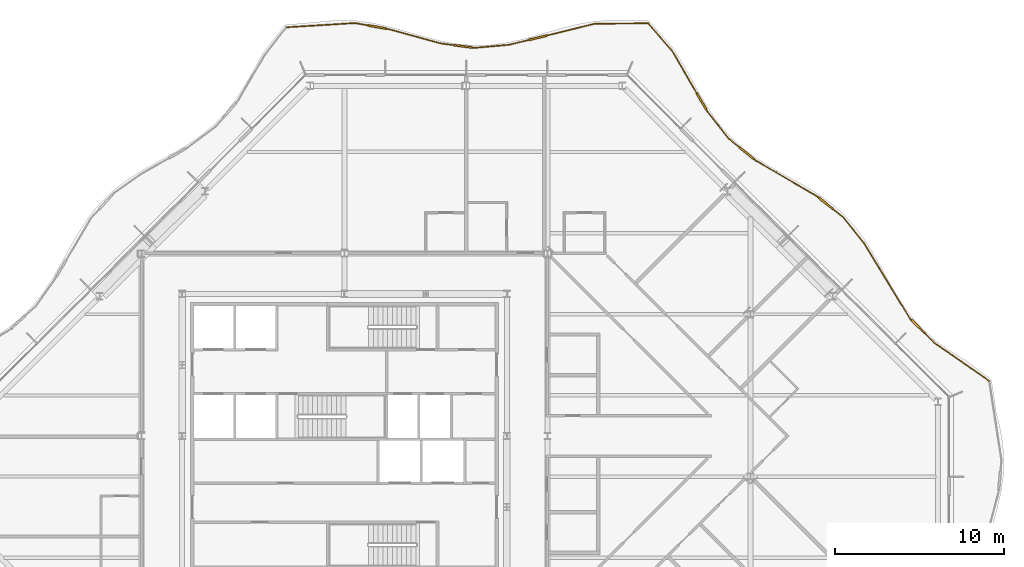
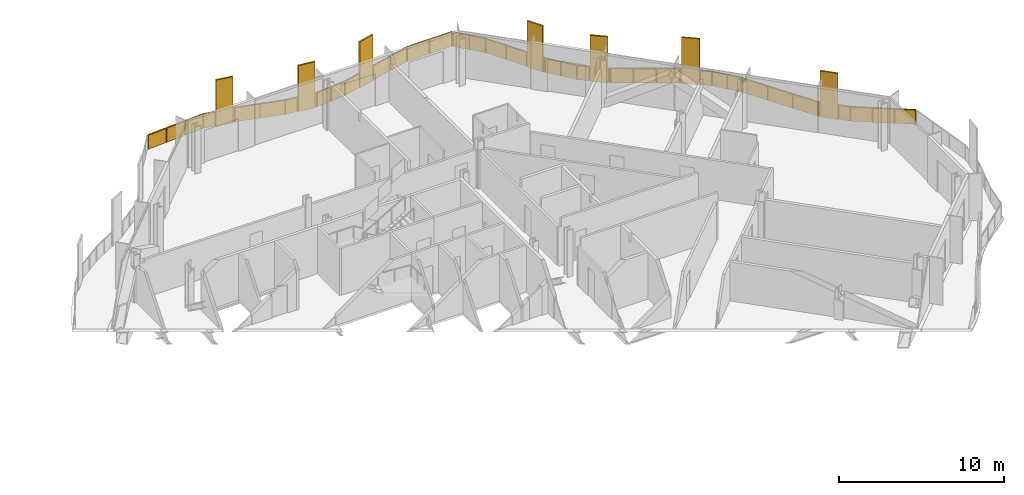
# One storey, part 17 of 17: 2 railings.
"""IFC4 building model written with IfcOpenShell, lengths in metres."""

from ifc_helpers import new_model, si_unit, direction, frame, origin, origin_2d, place, context, subcontext, project, spatial, polyline, rectangle, outline, extrude, material, type_object, element, save


model = new_model("IFC4")

# Units and contexts
model_context = context("Model", 3, precision=1e-05, world=origin(), true_north=direction((0.0, 1.0)))
body_context = subcontext(model_context, "Body", "Model", "MODEL_VIEW")
ifc_project = project(units=[si_unit("LENGTHUNIT", "METRE"), si_unit("AREAUNIT", "SQUARE_METRE"), si_unit("VOLUMEUNIT", "CUBIC_METRE"), si_unit("PLANEANGLEUNIT", "RADIAN"), si_unit("MASSUNIT", "GRAM", prefix="KILO")], contexts=[model_context])

# Site, building, storey
site_placement = place(None, origin())
site = spatial("IfcSite", under=ifc_project, at=site_placement, CompositionType="ELEMENT")
building_placement = place(site_placement, origin())
building = spatial("IfcBuilding", under=site, at=building_placement, Name="Cairn Pilgrim Tower", CompositionType="ELEMENT")
storey_placement = place(building_placement, frame((0.0, 0.0, 221.39990234375)))
storey = spatial("IfcBuildingStorey", under=building, at=storey_placement, Name="L56", CompositionType="ELEMENT", Elevation=221.39990234375)

# Railings
ifc_material = material(Name="Bronze anodised aluminium rail, posts and fin screens with laminated glass infill", Category="aluminium")
railing_type = type_object("IfcRailingType", Name="BALCONY GUARD WITH FIN SCREENS", PredefinedType="GUARDRAIL", material=ifc_material)
railing_1_placement = place(storey_placement, frame((45.325439453125, 5.6513671875, 0.0)))
element("IfcRailing", 1, at=railing_1_placement, inside=storey, type_object=railing_type, Name="Balcony guard BGF-3 with fin screens", PredefinedType="GUARDRAIL", context=body_context, shape_type="SweptSolid", body=[
    extrude(rectangle(XDim=0.050048828125, YDim=0.050048828125, at=origin_2d()), frame((0.0, 0.0, 1.0751953125), z_axis=(-0.820012054011, 0.572346251212, 0.0), x_axis=(-0.572346251212, -0.820012054011, 0.0)), (0.0, 0.0, 1.0), 3.9658203125),
    extrude(rectangle(XDim=1.10009765625, YDim=0.110107421875, at=origin_2d()), frame((-4.203857421875, 3.216552734375, 0.0), z_axis=(0.0, 0.0, 1.0), x_axis=(-0.709016579712, 0.705191810569, 0.0)), (0.0, 0.0, 1.0), 3.39990234375),
    extrude(rectangle(XDim=0.050048828125, YDim=0.050048828125, at=origin_2d()), frame((-3.251953125, 2.269775390625, 1.0751953125), z_axis=(-0.709016579712, 0.705191810569, 0.0), x_axis=(-0.705191810569, -0.709016579712, 0.0)), (0.0, 0.0, 1.0), 0.79248046875),
    extrude(rectangle(XDim=0.050048828125, YDim=0.050048828125, at=origin_2d()), frame((-4.59375, 3.604248046875, 1.0751953125), z_axis=(-0.709016579712, 0.705191810569, 0.0), x_axis=(-0.705191810569, -0.709016579712, 0.0)), (0.0, 0.0, 1.0), 0.150146484375),
    extrude(rectangle(XDim=0.050048828125, YDim=0.050048828125, at=origin_2d()), frame((-4.7001953125, 3.710205078125, 1.0751953125), z_axis=(-0.519273025874, 0.854608404241, 0.0), x_axis=(-0.854608404241, -0.519273025874, 0.0)), (0.0, 0.0, 1.0), 5.184326171875),
    extrude(rectangle(XDim=0.050048828125, YDim=0.050048828125, at=origin_2d()), frame((-7.392333984375, 8.140869140625, 1.0751953125), z_axis=(-0.626944244351, 0.779064127319, 0.0), x_axis=(-0.779064127319, -0.626944244351, 0.0)), (0.0, 0.0, 1.0), 1.99658203125),
    extrude(rectangle(XDim=1.10009765625, YDim=0.110107421875, at=origin_2d()), frame((-9.657470703125, 10.504638671875, 0.0), z_axis=(0.0, 0.0, 1.0), x_axis=(-0.781739062217, 0.62360567557, 0.0)), (0.0, 0.0, 1.0), 3.39990234375),
    extrude(rectangle(XDim=0.050048828125, YDim=0.050048828125, at=origin_2d()), frame((-8.64404296875, 9.6962890625, 1.0751953125), z_axis=(-0.781739062217, 0.62360567557, 0.0), x_axis=(-0.62360567557, -0.781739062217, 0.0)), (0.0, 0.0, 1.0), 0.746337890625),
    extrude(rectangle(XDim=0.050048828125, YDim=0.050048828125, at=origin_2d()), frame((-10.08740234375, 10.84765625, 1.0751953125), z_axis=(-0.781739062217, 0.62360567557, 0.0), x_axis=(-0.62360567557, -0.781739062217, 0.0)), (0.0, 0.0, 1.0), 0.14990234375),
    extrude(rectangle(XDim=0.050048828125, YDim=0.050048828125, at=origin_2d()), frame((-10.20458984375, 10.941162109375, 1.0751953125), z_axis=(-0.864562899529, 0.502524619056, 0.0), x_axis=(-0.502524619056, -0.864562899529, 0.0)), (0.0, 0.0, 1.0), 4.162109375),
    extrude(rectangle(XDim=1.10009765625, YDim=0.110107421875, at=origin_2d()), frame((-14.34619140625, 13.47412109375, 0.0), z_axis=(0.0, 0.0, 1.0), x_axis=(-0.776106715703, 0.630601590421, 0.0)), (0.0, 0.0, 1.0), 3.39990234375),
    extrude(rectangle(XDim=0.050048828125, YDim=0.050048828125, at=origin_2d()), frame((-13.802978515625, 13.03271484375, 1.0751953125), z_axis=(-0.776106715703, 0.630601590421, 0.0), x_axis=(-0.630601590421, -0.776106715703, 0.0)), (0.0, 0.0, 1.0), 0.14990234375),
    extrude(rectangle(XDim=0.050048828125, YDim=0.050048828125, at=origin_2d()), frame((-14.773193359375, 13.821044921875, 1.0751953125), z_axis=(-0.776106715703, 0.630601590421, 0.0), x_axis=(-0.630601590421, -0.776106715703, 0.0)), (0.0, 0.0, 1.0), 0.800537109375),
    extrude(rectangle(XDim=0.050048828125, YDim=0.050048828125, at=origin_2d()), frame((-15.394287109375, 14.32568359375, 1.0751953125), z_axis=(-0.619910394653, 0.784672608545, 0.0), x_axis=(-0.784672608545, -0.619910394653, 0.0)), (0.0, 0.0, 1.0), 2.05224609375),
    extrude(rectangle(XDim=1.10009765625, YDim=0.110107421875, at=origin_2d()), frame((-17.018310546875, 16.541015625, 0.0), z_axis=(0.0, 0.0, 1.0), x_axis=(-0.502651075486, 0.864489384731, 0.0)), (0.0, 0.0, 1.0), 3.39990234375),
    extrude(rectangle(XDim=0.050048828125, YDim=0.050048828125, at=origin_2d()), frame((-16.66650390625, 15.93603515625, 1.0751953125), z_axis=(-0.502651075486, 0.864489384731, 0.0), x_axis=(-0.864489384731, -0.502651075486, 0.0)), (0.0, 0.0, 1.0), 0.14990234375),
    extrude(rectangle(XDim=0.050048828125, YDim=0.050048828125, at=origin_2d()), frame((-17.294677734375, 17.0166015625, 1.0751953125), z_axis=(-0.502651075486, 0.864489384731, 0.0), x_axis=(-0.864489384731, -0.502651075486, 0.0)), (0.0, 0.0, 1.0), 2.90771484375),
    extrude(rectangle(XDim=0.050048828125, YDim=0.050048828125, at=origin_2d()), frame((-18.75634765625, 19.5302734375, 1.0751953125), z_axis=(-0.656874957585, 0.753999529242, 0.0), x_axis=(-0.753999529242, -0.656874957585, 0.0)), (0.0, 0.0, 1.0), 2.09130859375),
    extrude(rectangle(XDim=0.050048828125, YDim=0.050048828125, at=origin_2d()), origin(), (0.0, 0.0, 1.0), 1.050048828125),
    extrude(rectangle(XDim=0.050048828125, YDim=0.050048828125, at=origin_2d()), frame((-1.083984375, 0.756591796875, 0.0)), (0.0, 0.0, 1.0), 1.050048828125),
    extrude(rectangle(XDim=0.050048828125, YDim=0.050048828125, at=origin_2d()), frame((-2.16796875, 1.51318359375, 0.0)), (0.0, 0.0, 1.0), 1.050048828125),
    extrude(rectangle(XDim=0.050048828125, YDim=0.050048828125, at=origin_2d()), frame((-3.251953125, 2.269775390625, 0.0)), (0.0, 0.0, 1.0), 1.050048828125),
    extrude(rectangle(XDim=0.050048828125, YDim=0.050048828125, at=origin_2d()), frame((-3.796142578125, 2.81103515625, 0.0)), (0.0, 0.0, 1.0), 1.050048828125),
    extrude(rectangle(XDim=0.050048828125, YDim=0.050048828125, at=origin_2d()), frame((-4.611572265625, 3.6220703125, 0.0)), (0.0, 0.0, 1.0), 1.050048828125),
    extrude(rectangle(XDim=0.050048828125, YDim=0.050048828125, at=origin_2d()), frame((-4.7001953125, 3.710205078125, 0.0)), (0.0, 0.0, 1.0), 1.050048828125),
    extrude(rectangle(XDim=0.050048828125, YDim=0.050048828125, at=origin_2d()), frame((-5.59765625, 5.18701171875, 0.0)), (0.0, 0.0, 1.0), 1.050048828125),
    extrude(rectangle(XDim=0.050048828125, YDim=0.050048828125, at=origin_2d()), frame((-6.494873046875, 6.6640625, 0.0)), (0.0, 0.0, 1.0), 1.050048828125),
    extrude(rectangle(XDim=0.050048828125, YDim=0.050048828125, at=origin_2d()), frame((-7.392333984375, 8.140869140625, 0.0)), (0.0, 0.0, 1.0), 1.050048828125),
    extrude(rectangle(XDim=0.050048828125, YDim=0.050048828125, at=origin_2d()), frame((-8.01806640625, 8.91845703125, 0.0)), (0.0, 0.0, 1.0), 1.050048828125),
    extrude(rectangle(XDim=0.050048828125, YDim=0.050048828125, at=origin_2d()), frame((-8.64404296875, 9.6962890625, 0.0)), (0.0, 0.0, 1.0), 1.050048828125),
    extrude(rectangle(XDim=0.050048828125, YDim=0.050048828125, at=origin_2d()), frame((-9.2080078125, 10.14599609375, 0.0)), (0.0, 0.0, 1.0), 1.050048828125),
    extrude(rectangle(XDim=0.050048828125, YDim=0.050048828125, at=origin_2d()), frame((-10.10693359375, 10.86328125, 0.0)), (0.0, 0.0, 1.0), 1.050048828125),
    extrude(rectangle(XDim=0.050048828125, YDim=0.050048828125, at=origin_2d()), frame((-10.20458984375, 10.941162109375, 0.0)), (0.0, 0.0, 1.0), 1.050048828125),
    extrude(rectangle(XDim=0.050048828125, YDim=0.050048828125, at=origin_2d()), frame((-11.404052734375, 11.638427734375, 0.0)), (0.0, 0.0, 1.0), 1.050048828125),
    extrude(rectangle(XDim=0.050048828125, YDim=0.050048828125, at=origin_2d()), frame((-12.603515625, 12.33544921875, 0.0)), (0.0, 0.0, 1.0), 1.050048828125),
    extrude(rectangle(XDim=0.050048828125, YDim=0.050048828125, at=origin_2d()), frame((-13.802978515625, 13.03271484375, 0.0)), (0.0, 0.0, 1.0), 1.050048828125),
    extrude(rectangle(XDim=0.050048828125, YDim=0.050048828125, at=origin_2d()), frame((-13.89990234375, 13.111572265625, 0.0)), (0.0, 0.0, 1.0), 1.050048828125),
    extrude(rectangle(XDim=0.050048828125, YDim=0.050048828125, at=origin_2d()), frame((-14.79248046875, 13.836669921875, 0.0)), (0.0, 0.0, 1.0), 1.050048828125),
    extrude(rectangle(XDim=0.050048828125, YDim=0.050048828125, at=origin_2d()), frame((-15.394287109375, 14.32568359375, 0.0)), (0.0, 0.0, 1.0), 1.050048828125),
    extrude(rectangle(XDim=0.050048828125, YDim=0.050048828125, at=origin_2d()), frame((-16.0302734375, 15.130859375, 0.0)), (0.0, 0.0, 1.0), 1.050048828125),
    extrude(rectangle(XDim=0.050048828125, YDim=0.050048828125, at=origin_2d()), frame((-16.66650390625, 15.93603515625, 0.0)), (0.0, 0.0, 1.0), 1.050048828125),
    extrude(rectangle(XDim=0.050048828125, YDim=0.050048828125, at=origin_2d()), frame((-16.729248046875, 16.0439453125, 0.0)), (0.0, 0.0, 1.0), 1.050048828125),
    extrude(rectangle(XDim=0.050048828125, YDim=0.050048828125, at=origin_2d()), frame((-17.307373046875, 17.038330078125, 0.0)), (0.0, 0.0, 1.0), 1.050048828125),
    extrude(rectangle(XDim=0.050048828125, YDim=0.050048828125, at=origin_2d()), frame((-18.03173828125, 18.2841796875, 0.0)), (0.0, 0.0, 1.0), 1.050048828125),
    extrude(rectangle(XDim=0.050048828125, YDim=0.050048828125, at=origin_2d()), frame((-18.75634765625, 19.5302734375, 0.0)), (0.0, 0.0, 1.0), 1.050048828125),
    extrude(rectangle(XDim=0.050048828125, YDim=0.050048828125, at=origin_2d()), frame((-19.443359375, 20.31884765625, 0.0)), (0.0, 0.0, 1.0), 1.050048828125),
    extrude(rectangle(XDim=0.050048828125, YDim=0.050048828125, at=origin_2d()), frame((-20.130126953125, 21.107177734375, 0.0)), (0.0, 0.0, 1.0), 1.050048828125),
    extrude(outline(polyline([(0.02490234375, 0.0), (1.296875, 0.0), (1.296875, 1.050048828125), (0.02490234375, 1.050048828125), (0.02490234375, 0.0)])), frame((-0.00341796875, -0.0048828125, 0.0), z_axis=(0.572346251212, 0.820012054011, 0.0), x_axis=(-0.820012054011, 0.572346251212, 0.0)), (0.0, 0.0, 1.0), 0.011962890625),
    extrude(outline(polyline([(0.02490234375, 0.0), (1.296875, 0.0), (1.296875, 1.050048828125), (0.02490234375, 1.050048828125), (0.02490234375, 0.0)])), frame((-1.08740234375, 0.751708984375, 0.0), z_axis=(0.572346251212, 0.820012054011, 0.0), x_axis=(-0.820012054011, 0.572346251212, 0.0)), (0.0, 0.0, 1.0), 0.011962890625),
    extrude(outline(polyline([(0.02490234375, 0.0), (1.296875, 0.0), (1.296875, 1.050048828125), (0.02490234375, 1.050048828125), (0.02490234375, 0.0)])), frame((-2.17138671875, 1.50830078125, 0.0), z_axis=(0.572346251212, 0.820012054011, 0.0), x_axis=(-0.820012054011, 0.572346251212, 0.0)), (0.0, 0.0, 1.0), 0.011962890625),
    extrude(outline(polyline([(0.02490234375, 0.0), (0.742431640625, 0.0), (0.742431640625, 1.050048828125), (0.02490234375, 1.050048828125), (0.02490234375, 0.0)])), frame((-3.256103515625, 2.265625, 0.0), z_axis=(0.705191810569, 0.709016579712, 0.0), x_axis=(-0.709016579712, 0.705191810569, 0.0)), (0.0, 0.0, 1.0), 0.011962890625),
    extrude(outline(polyline([(0.02490234375, 0.0), (0.10009765625, 0.0), (0.10009765625, 1.050048828125), (0.02490234375, 1.050048828125), (0.02490234375, 0.0)])), frame((-4.61572265625, 3.61767578125, 0.0), z_axis=(0.705191810569, 0.709016579712, 0.0), x_axis=(-0.709016579712, 0.705191810569, 0.0)), (0.0, 0.0, 1.0), 0.011962890625),
    extrude(outline(polyline([(0.02490234375, 0.0), (1.703125, 0.0), (1.703125, 1.050048828125), (0.02490234375, 1.050048828125), (0.02490234375, 0.0)])), frame((-4.705322265625, 3.70703125, 0.0), z_axis=(0.854608404241, 0.519273025874, 0.0), x_axis=(-0.519273025874, 0.854608404241, 0.0)), (0.0, 0.0, 1.0), 0.011962890625),
    extrude(outline(polyline([(0.02490234375, 0.0), (1.703125, 0.0), (1.703125, 1.050048828125), (0.02490234375, 1.050048828125), (0.02490234375, 0.0)])), frame((-5.602783203125, 5.18408203125, 0.0), z_axis=(0.854608404241, 0.519273025874, 0.0), x_axis=(-0.519273025874, 0.854608404241, 0.0)), (0.0, 0.0, 1.0), 0.011962890625),
    extrude(outline(polyline([(0.02490234375, 0.0), (1.703125, 0.0), (1.703125, 1.050048828125), (0.02490234375, 1.050048828125), (0.02490234375, 0.0)])), frame((-6.5, 6.660888671875, 0.0), z_axis=(0.854608404241, 0.519273025874, 0.0), x_axis=(-0.519273025874, 0.854608404241, 0.0)), (0.0, 0.0, 1.0), 0.011962890625),
    extrude(outline(polyline([(0.02490234375, 0.0), (0.97314453125, 0.0), (0.97314453125, 1.050048828125), (0.02490234375, 1.050048828125), (0.02490234375, 0.0)])), frame((-7.39697265625, 8.13720703125, 0.0), z_axis=(0.779064127319, 0.626944244351, 0.0), x_axis=(-0.626944244351, 0.779064127319, 0.0)), (0.0, 0.0, 1.0), 0.011962890625),
    extrude(outline(polyline([(0.02490234375, 0.0), (0.97314453125, 0.0), (0.97314453125, 1.050048828125), (0.02490234375, 1.050048828125), (0.02490234375, 0.0)])), frame((-8.02294921875, 8.914794921875, 0.0), z_axis=(0.779064127319, 0.626944244351, 0.0), x_axis=(-0.626944244351, 0.779064127319, 0.0)), (0.0, 0.0, 1.0), 0.011962890625),
    extrude(outline(polyline([(0.02490234375, 0.0), (0.6962890625, 0.0), (0.6962890625, 1.050048828125), (0.02490234375, 1.050048828125), (0.02490234375, 0.0)])), frame((-8.647705078125, 9.691650390625, 0.0), z_axis=(0.62360567557, 0.781739062217, 0.0), x_axis=(-0.781739062217, 0.62360567557, 0.0)), (0.0, 0.0, 1.0), 0.011962890625),
    extrude(outline(polyline([(0.02490234375, 0.0), (0.099853515625, 0.0), (0.099853515625, 1.050048828125), (0.02490234375, 1.050048828125), (0.02490234375, 0.0)])), frame((-10.110595703125, 10.858642578125, 0.0), z_axis=(0.62360567557, 0.781739062217, 0.0), x_axis=(-0.781739062217, 0.62360567557, 0.0)), (0.0, 0.0, 1.0), 0.011962890625),
    extrude(outline(polyline([(0.02490234375, 0.0), (1.3623046875, 0.0), (1.3623046875, 1.050048828125), (0.02490234375, 1.050048828125), (0.02490234375, 0.0)])), frame((-10.20751953125, 10.93603515625, 0.0), z_axis=(0.502524619056, 0.864562899529, 0.0), x_axis=(-0.864562899529, 0.502524619056, 0.0)), (0.0, 0.0, 1.0), 0.011962890625),
    extrude(outline(polyline([(0.02490234375, 0.0), (1.3623046875, 0.0), (1.3623046875, 1.050048828125), (0.02490234375, 1.050048828125), (0.02490234375, 0.0)])), frame((-11.406982421875, 11.633056640625, 0.0), z_axis=(0.502524619056, 0.864562899529, 0.0), x_axis=(-0.864562899529, 0.502524619056, 0.0)), (0.0, 0.0, 1.0), 0.011962890625),
    extrude(outline(polyline([(0.02490234375, 0.0), (1.3623046875, 0.0), (1.3623046875, 1.050048828125), (0.02490234375, 1.050048828125), (0.02490234375, 0.0)])), frame((-12.6064453125, 12.330322265625, 0.0), z_axis=(0.502524619056, 0.864562899529, 0.0), x_axis=(-0.864562899529, 0.502524619056, 0.0)), (0.0, 0.0, 1.0), 0.011962890625),
    extrude(outline(polyline([(0.02490234375, 0.0), (0.099853515625, 0.0), (0.099853515625, 1.050048828125), (0.02490234375, 1.050048828125), (0.02490234375, 0.0)])), frame((-13.806640625, 13.028076171875, 0.0), z_axis=(0.630601590421, 0.776106715703, 0.0), x_axis=(-0.776106715703, 0.630601590421, 0.0)), (0.0, 0.0, 1.0), 0.011962890625),
    extrude(outline(polyline([(0.02490234375, 0.0), (0.75048828125, 0.0), (0.75048828125, 1.050048828125), (0.02490234375, 1.050048828125), (0.02490234375, 0.0)])), frame((-14.79638671875, 13.83203125, 0.0), z_axis=(0.630601590421, 0.776106715703, 0.0), x_axis=(-0.776106715703, 0.630601590421, 0.0)), (0.0, 0.0, 1.0), 0.011962890625),
    extrude(outline(polyline([(0.02490234375, 0.0), (1.001220703125, 0.0), (1.001220703125, 1.050048828125), (0.02490234375, 1.050048828125), (0.02490234375, 0.0)])), frame((-15.39892578125, 14.322021484375, 0.0), z_axis=(0.784672608545, 0.619910394653, 0.0), x_axis=(-0.619910394653, 0.784672608545, 0.0)), (0.0, 0.0, 1.0), 0.011962890625),
    extrude(outline(polyline([(0.02490234375, 0.0), (1.001220703125, 0.0), (1.001220703125, 1.050048828125), (0.02490234375, 1.050048828125), (0.02490234375, 0.0)])), frame((-16.03515625, 15.127197265625, 0.0), z_axis=(0.784672608545, 0.619910394653, 0.0), x_axis=(-0.619910394653, 0.784672608545, 0.0)), (0.0, 0.0, 1.0), 0.011962890625),
    extrude(outline(polyline([(0.02490234375, 0.0), (0.099853515625, 0.0), (0.099853515625, 1.050048828125), (0.02490234375, 1.050048828125), (0.02490234375, 0.0)])), frame((-16.671630859375, 15.93310546875, 0.0), z_axis=(0.864489384731, 0.502651075486, 0.0), x_axis=(-0.502651075486, 0.864489384731, 0.0)), (0.0, 0.0, 1.0), 0.011962890625),
    extrude(outline(polyline([(0.02490234375, 0.0), (1.416259765625, 0.0), (1.416259765625, 1.050048828125), (0.02490234375, 1.050048828125), (0.02490234375, 0.0)])), frame((-17.3125, 17.03515625, 0.0), z_axis=(0.864489384731, 0.502651075486, 0.0), x_axis=(-0.502651075486, 0.864489384731, 0.0)), (0.0, 0.0, 1.0), 0.011962890625),
    extrude(outline(polyline([(0.02490234375, 0.0), (1.416259765625, 0.0), (1.416259765625, 1.050048828125), (0.02490234375, 1.050048828125), (0.02490234375, 0.0)])), frame((-18.037109375, 18.28125, 0.0), z_axis=(0.864489384731, 0.502651075486, 0.0), x_axis=(-0.502651075486, 0.864489384731, 0.0)), (0.0, 0.0, 1.0), 0.011962890625),
    extrude(outline(polyline([(0.02490234375, 0.0), (1.020751953125, 0.0), (1.020751953125, 1.050048828125), (0.02490234375, 1.050048828125), (0.02490234375, 0.0)])), frame((-18.7607421875, 19.5263671875, 0.0), z_axis=(0.753999529242, 0.656874957585, 0.0), x_axis=(-0.656874957585, 0.753999529242, 0.0)), (0.0, 0.0, 1.0), 0.011962890625),
    extrude(outline(polyline([(0.02490234375, 0.0), (1.020751953125, 0.0), (1.020751953125, 1.050048828125), (0.02490234375, 1.050048828125), (0.02490234375, 0.0)])), frame((-19.44775390625, 20.314697265625, 0.0), z_axis=(0.753999529242, 0.656874957585, 0.0), x_axis=(-0.656874957585, 0.753999529242, 0.0)), (0.0, 0.0, 1.0), 0.011962890625),
])
railing_2_placement = place(storey_placement, frame((25.156005859375, 26.8037109375, 0.0)))
element("IfcRailing", 2, at=railing_2_placement, inside=storey, type_object=railing_type, Name="Balcony guard BGF-4 with fin screens", PredefinedType="GUARDRAIL", context=body_context, shape_type="SweptSolid", body=[
    extrude(rectangle(XDim=0.050048828125, YDim=0.050048828125, at=origin_2d()), frame((0.0, 0.0, 1.0751953125), z_axis=(-0.999966429342, -0.008193911681, 0.0), x_axis=(0.008193911681, -0.999966429342, 0.0)), (0.0, 0.0, 1.0), 3.158203125),
    extrude(rectangle(XDim=1.10009765625, YDim=0.110107421875, at=origin_2d()), frame((-6.4990234375, -0.848388671875, 0.0), z_axis=(0.0, 0.0, 1.0), x_axis=(-0.970995755042, -0.23909672455, 0.0)), (0.0, 0.0, 1.0), 3.39990234375),
    extrude(rectangle(XDim=0.050048828125, YDim=0.050048828125, at=origin_2d()), frame((-3.158203125, -0.02587890625, 1.0751953125), z_axis=(-0.970995755042, -0.23909672455, 0.0), x_axis=(0.23909672455, -0.970995755042, 0.0)), (0.0, 0.0, 1.0), 2.890380859375),
    extrude(rectangle(XDim=0.050048828125, YDim=0.050048828125, at=origin_2d()), frame((-7.032958984375, -0.97998046875, 1.0751953125), z_axis=(-0.970995755042, -0.23909672455, 0.0), x_axis=(0.23909672455, -0.970995755042, 0.0)), (0.0, 0.0, 1.0), 1.206787109375),
    extrude(rectangle(XDim=0.050048828125, YDim=0.050048828125, at=origin_2d()), frame((-8.204833984375, -1.2685546875, 1.0751953125), z_axis=(-0.996010063706, -0.089240982713, 0.0), x_axis=(0.089240982713, -0.996010063706, 0.0)), (0.0, 0.0, 1.0), 2.057373046875),
    extrude(rectangle(XDim=1.10009765625, YDim=0.110107421875, at=origin_2d()), frame((-10.94775390625, -1.361083984375, 0.0), z_axis=(0.0, 0.0, 1.0), x_axis=(-0.99149528396, 0.130142621321, 0.0)), (0.0, 0.0, 1.0), 3.39990234375),
    extrude(rectangle(XDim=0.050048828125, YDim=0.050048828125, at=origin_2d()), frame((-10.25390625, -1.4521484375, 1.0751953125), z_axis=(-0.99149528396, 0.130142621321, 0.0), x_axis=(-0.130142621321, -0.99149528396, 0.0)), (0.0, 0.0, 1.0), 0.14990234375),
    extrude(rectangle(XDim=0.050048828125, YDim=0.050048828125, at=origin_2d()), frame((-11.4931640625, -1.28955078125, 1.0751953125), z_axis=(-0.99149528396, 0.130142621321, 0.0), x_axis=(-0.130142621321, -0.99149528396, 0.0)), (0.0, 0.0, 1.0), 0.815673828125),
    extrude(rectangle(XDim=0.050048828125, YDim=0.050048828125, at=origin_2d()), frame((-12.3017578125, -1.183349609375, 1.0751953125), z_axis=(-0.963957650516, 0.266055723507, 0.0), x_axis=(-0.266055723507, -0.963957650516, 0.0)), (0.0, 0.0, 1.0), 3.1484375),
    extrude(rectangle(XDim=1.10009765625, YDim=0.110107421875, at=origin_2d()), frame((-16.025390625, -0.22119140625, 0.0), z_axis=(0.0, 0.0, 1.0), x_axis=(-0.984058040141, 0.177847613515, 0.0)), (0.0, 0.0, 1.0), 3.39990234375),
    extrude(rectangle(XDim=0.050048828125, YDim=0.050048828125, at=origin_2d()), frame((-15.336669921875, -0.345703125, 1.0751953125), z_axis=(-0.984058040141, 0.177847613515, 0.0), x_axis=(-0.177847613515, -0.984058040141, 0.0)), (0.0, 0.0, 1.0), 0.14990234375),
    extrude(rectangle(XDim=0.050048828125, YDim=0.050048828125, at=origin_2d()), frame((-16.566650390625, -0.123291015625, 1.0751953125), z_axis=(-0.984058040141, 0.177847613515, 0.0), x_axis=(-0.177847613515, -0.984058040141, 0.0)), (0.0, 0.0, 1.0), 0.779052734375),
    extrude(rectangle(XDim=0.050048828125, YDim=0.050048828125, at=origin_2d()), frame((-17.333251953125, 0.01513671875, 1.0751953125), z_axis=(-0.998096075786, -0.061678387636, 0.0), x_axis=(0.061678387636, -0.998096075786, 0.0)), (0.0, 0.0, 1.0), 4.017578125),
    extrude(rectangle(XDim=0.050048828125, YDim=0.050048828125, at=origin_2d()), origin(), (0.0, 0.0, 1.0), 1.050048828125),
    extrude(rectangle(XDim=0.050048828125, YDim=0.050048828125, at=origin_2d()), frame((-1.5791015625, -0.012939453125, 0.0)), (0.0, 0.0, 1.0), 1.050048828125),
    extrude(rectangle(XDim=0.050048828125, YDim=0.050048828125, at=origin_2d()), frame((-3.158203125, -0.02587890625, 0.0)), (0.0, 0.0, 1.0), 1.050048828125),
    extrude(rectangle(XDim=0.050048828125, YDim=0.050048828125, at=origin_2d()), frame((-4.54931640625, -0.368408203125, 0.0)), (0.0, 0.0, 1.0), 1.050048828125),
    extrude(rectangle(XDim=0.050048828125, YDim=0.050048828125, at=origin_2d()), frame((-5.940673828125, -0.7109375, 0.0)), (0.0, 0.0, 1.0), 1.050048828125),
    extrude(rectangle(XDim=0.050048828125, YDim=0.050048828125, at=origin_2d()), frame((-7.057373046875, -0.986083984375, 0.0)), (0.0, 0.0, 1.0), 1.050048828125),
    extrude(rectangle(XDim=0.050048828125, YDim=0.050048828125, at=origin_2d()), frame((-8.204833984375, -1.2685546875, 0.0)), (0.0, 0.0, 1.0), 1.050048828125),
    extrude(rectangle(XDim=0.050048828125, YDim=0.050048828125, at=origin_2d()), frame((-9.2294921875, -1.3603515625, 0.0)), (0.0, 0.0, 1.0), 1.050048828125),
    extrude(rectangle(XDim=0.050048828125, YDim=0.050048828125, at=origin_2d()), frame((-10.25390625, -1.4521484375, 0.0)), (0.0, 0.0, 1.0), 1.050048828125),
    extrude(rectangle(XDim=0.050048828125, YDim=0.050048828125, at=origin_2d()), frame((-10.377685546875, -1.435791015625, 0.0)), (0.0, 0.0, 1.0), 1.050048828125),
    extrude(rectangle(XDim=0.050048828125, YDim=0.050048828125, at=origin_2d()), frame((-11.517822265625, -1.2861328125, 0.0)), (0.0, 0.0, 1.0), 1.050048828125),
    extrude(rectangle(XDim=0.050048828125, YDim=0.050048828125, at=origin_2d()), frame((-12.3017578125, -1.183349609375, 0.0)), (0.0, 0.0, 1.0), 1.050048828125),
    extrude(rectangle(XDim=0.050048828125, YDim=0.050048828125, at=origin_2d()), frame((-13.8193359375, -0.7646484375, 0.0)), (0.0, 0.0, 1.0), 1.050048828125),
    extrude(rectangle(XDim=0.050048828125, YDim=0.050048828125, at=origin_2d()), frame((-15.336669921875, -0.345703125, 0.0)), (0.0, 0.0, 1.0), 1.050048828125),
    extrude(rectangle(XDim=0.050048828125, YDim=0.050048828125, at=origin_2d()), frame((-15.45947265625, -0.323486328125, 0.0)), (0.0, 0.0, 1.0), 1.050048828125),
    extrude(rectangle(XDim=0.050048828125, YDim=0.050048828125, at=origin_2d()), frame((-16.59130859375, -0.118896484375, 0.0)), (0.0, 0.0, 1.0), 1.050048828125),
    extrude(rectangle(XDim=0.050048828125, YDim=0.050048828125, at=origin_2d()), frame((-17.333251953125, 0.01513671875, 0.0)), (0.0, 0.0, 1.0), 1.050048828125),
    extrude(rectangle(XDim=0.050048828125, YDim=0.050048828125, at=origin_2d()), frame((-18.669921875, -0.0673828125, 0.0)), (0.0, 0.0, 1.0), 1.050048828125),
    extrude(rectangle(XDim=0.050048828125, YDim=0.050048828125, at=origin_2d()), frame((-20.006591796875, -0.150146484375, 0.0)), (0.0, 0.0, 1.0), 1.050048828125),
    extrude(rectangle(XDim=0.050048828125, YDim=0.050048828125, at=origin_2d()), frame((-21.34326171875, -0.232666015625, 0.0)), (0.0, 0.0, 1.0), 1.050048828125),
    extrude(outline(polyline([(0.02490234375, 0.0), (1.55419921875, 0.0), (1.55419921875, 1.050048828125), (0.02490234375, 1.050048828125), (0.02490234375, 0.0)])), frame((0.0, -0.005859375, 0.0), z_axis=(-0.008193911681, 0.999966429342, 0.0), x_axis=(-0.999966429342, -0.008193911681, 0.0)), (0.0, 0.0, 1.0), 0.011962890625),
    extrude(outline(polyline([(0.02490234375, 0.0), (1.55419921875, 0.0), (1.55419921875, 1.050048828125), (0.02490234375, 1.050048828125), (0.02490234375, 0.0)])), frame((-1.5791015625, -0.018798828125, 0.0), z_axis=(-0.008193911681, 0.999966429342, 0.0), x_axis=(-0.999966429342, -0.008193911681, 0.0)), (0.0, 0.0, 1.0), 0.011962890625),
    extrude(outline(polyline([(0.02490234375, 0.0), (1.40771484375, 0.0), (1.40771484375, 1.050048828125), (0.02490234375, 1.050048828125), (0.02490234375, 0.0)])), frame((-3.15673828125, -0.03173828125, 0.0), z_axis=(-0.23909672455, 0.970995755042, 0.0), x_axis=(-0.970995755042, -0.23909672455, 0.0)), (0.0, 0.0, 1.0), 0.011962890625),
    extrude(outline(polyline([(0.02490234375, 0.0), (1.40771484375, 0.0), (1.40771484375, 1.050048828125), (0.02490234375, 1.050048828125), (0.02490234375, 0.0)])), frame((-4.5478515625, -0.374267578125, 0.0), z_axis=(-0.23909672455, 0.970995755042, 0.0), x_axis=(-0.970995755042, -0.23909672455, 0.0)), (0.0, 0.0, 1.0), 0.011962890625),
    extrude(outline(polyline([(0.02490234375, 0.0), (1.15673828125, 0.0), (1.15673828125, 1.050048828125), (0.02490234375, 1.050048828125), (0.02490234375, 0.0)])), frame((-7.055908203125, -0.99169921875, 0.0), z_axis=(-0.23909672455, 0.970995755042, 0.0), x_axis=(-0.970995755042, -0.23909672455, 0.0)), (0.0, 0.0, 1.0), 0.011962890625),
    extrude(outline(polyline([(0.02490234375, 0.0), (1.003662109375, 0.0), (1.003662109375, 1.050048828125), (0.02490234375, 1.050048828125), (0.02490234375, 0.0)])), frame((-8.204345703125, -1.2744140625, 0.0), z_axis=(-0.089240982713, 0.996010063706, 0.0), x_axis=(-0.996010063706, -0.089240982713, 0.0)), (0.0, 0.0, 1.0), 0.011962890625),
    extrude(outline(polyline([(0.02490234375, 0.0), (1.003662109375, 0.0), (1.003662109375, 1.050048828125), (0.02490234375, 1.050048828125), (0.02490234375, 0.0)])), frame((-9.228759765625, -1.3662109375, 0.0), z_axis=(-0.089240982713, 0.996010063706, 0.0), x_axis=(-0.996010063706, -0.089240982713, 0.0)), (0.0, 0.0, 1.0), 0.011962890625),
    extrude(outline(polyline([(0.02490234375, 0.0), (0.099853515625, 0.0), (0.099853515625, 1.050048828125), (0.02490234375, 1.050048828125), (0.02490234375, 0.0)])), frame((-10.254638671875, -1.4580078125, 0.0), z_axis=(0.130142621321, 0.99149528396, 0.0), x_axis=(-0.99149528396, 0.130142621321, 0.0)), (0.0, 0.0, 1.0), 0.011962890625),
    extrude(outline(polyline([(0.02490234375, 0.0), (0.765625, 0.0), (0.765625, 1.050048828125), (0.02490234375, 1.050048828125), (0.02490234375, 0.0)])), frame((-11.518798828125, -1.292236328125, 0.0), z_axis=(0.130142621321, 0.99149528396, 0.0), x_axis=(-0.99149528396, 0.130142621321, 0.0)), (0.0, 0.0, 1.0), 0.011962890625),
    extrude(outline(polyline([(0.02490234375, 0.0), (1.549072265625, 0.0), (1.549072265625, 1.050048828125), (0.02490234375, 1.050048828125), (0.02490234375, 0.0)])), frame((-12.303466796875, -1.189208984375, 0.0), z_axis=(0.266055723507, 0.963957650516, 0.0), x_axis=(-0.963957650516, 0.266055723507, 0.0)), (0.0, 0.0, 1.0), 0.011962890625),
    extrude(outline(polyline([(0.02490234375, 0.0), (1.549072265625, 0.0), (1.549072265625, 1.050048828125), (0.02490234375, 1.050048828125), (0.02490234375, 0.0)])), frame((-13.82080078125, -0.770263671875, 0.0), z_axis=(0.266055723507, 0.963957650516, 0.0), x_axis=(-0.963957650516, 0.266055723507, 0.0)), (0.0, 0.0, 1.0), 0.011962890625),
    extrude(outline(polyline([(0.02490234375, 0.0), (0.099853515625, 0.0), (0.099853515625, 1.050048828125), (0.02490234375, 1.050048828125), (0.02490234375, 0.0)])), frame((-15.337646484375, -0.3515625, 0.0), z_axis=(0.177847613515, 0.984058040141, 0.0), x_axis=(-0.984058040141, 0.177847613515, 0.0)), (0.0, 0.0, 1.0), 0.011962890625),
    extrude(outline(polyline([(0.02490234375, 0.0), (0.72900390625, 0.0), (0.72900390625, 1.050048828125), (0.02490234375, 1.050048828125), (0.02490234375, 0.0)])), frame((-16.59228515625, -0.124755859375, 0.0), z_axis=(0.177847613515, 0.984058040141, 0.0), x_axis=(-0.984058040141, 0.177847613515, 0.0)), (0.0, 0.0, 1.0), 0.011962890625),
    extrude(outline(polyline([(0.02490234375, 0.0), (1.314208984375, 0.0), (1.314208984375, 1.050048828125), (0.02490234375, 1.050048828125), (0.02490234375, 0.0)])), frame((-17.332763671875, 0.00927734375, 0.0), z_axis=(-0.061678387636, 0.998096075786, 0.0), x_axis=(-0.998096075786, -0.061678387636, 0.0)), (0.0, 0.0, 1.0), 0.011962890625),
    extrude(outline(polyline([(0.02490234375, 0.0), (1.314208984375, 0.0), (1.314208984375, 1.050048828125), (0.02490234375, 1.050048828125), (0.02490234375, 0.0)])), frame((-18.66943359375, -0.073486328125, 0.0), z_axis=(-0.061678387636, 0.998096075786, 0.0), x_axis=(-0.998096075786, -0.061678387636, 0.0)), (0.0, 0.0, 1.0), 0.011962890625),
    extrude(outline(polyline([(0.02490234375, 0.0), (1.314208984375, 0.0), (1.314208984375, 1.050048828125), (0.02490234375, 1.050048828125), (0.02490234375, 0.0)])), frame((-20.006103515625, -0.156005859375, 0.0), z_axis=(-0.061678387636, 0.998096075786, 0.0), x_axis=(-0.998096075786, -0.061678387636, 0.0)), (0.0, 0.0, 1.0), 0.011962890625),
])

save(model, "model.ifc")
